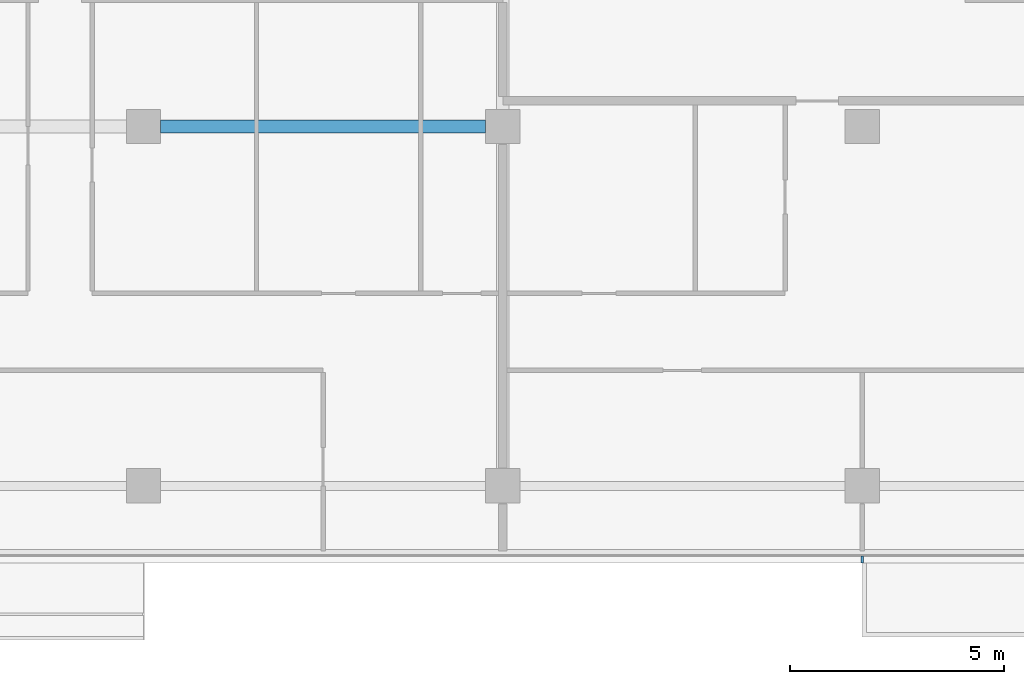
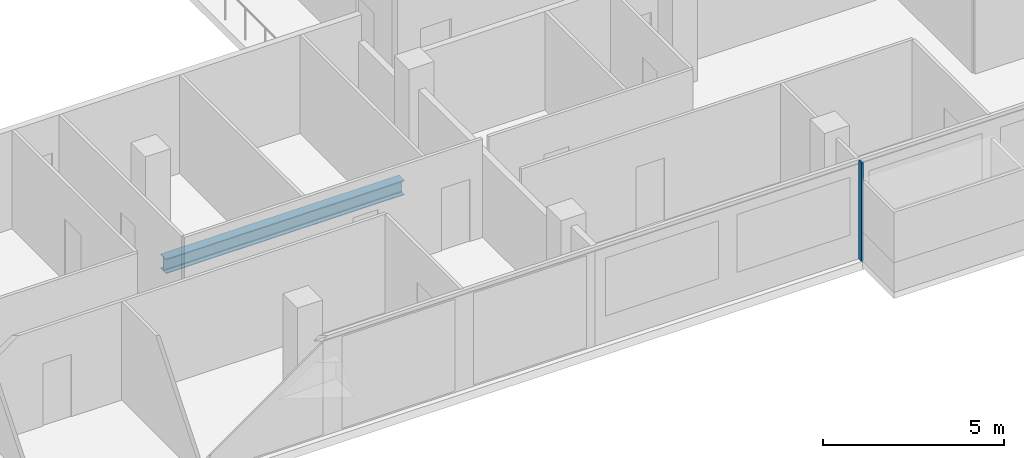
# One storey, part 6 of 26: 1 beam, 1 member, 1 element without a shape of its own.
"""IFC4 building model written with IfcOpenShell, lengths in metres."""

from ifc_helpers import new_model, si_unit, direction, frame, origin, origin_2d, place, context, subcontext, project, spatial, rectangle, i_section, extrude, material, material_profile, profile_set, type_object, element, aggregate, save


model = new_model("IFC4")

# Units and contexts
model_context = context("Model", 3, precision=1e-05, world=origin(), true_north=direction((0.0, 1.0)))
body_context = subcontext(model_context, "Body", "Model", "MODEL_VIEW")
ifc_project = project(units=[si_unit("LENGTHUNIT", "METRE"), si_unit("AREAUNIT", "SQUARE_METRE"), si_unit("VOLUMEUNIT", "CUBIC_METRE"), si_unit("PLANEANGLEUNIT", "RADIAN"), si_unit("MASSUNIT", "GRAM", prefix="KILO")], contexts=[model_context])

# Site, building, storey
site_placement = place(None, origin())
site = spatial("IfcSite", under=ifc_project, at=site_placement, CompositionType="ELEMENT")
building_placement = place(site_placement, origin())
building = spatial("IfcBuilding", under=site, at=building_placement, Name="Saffron Gate Tower", CompositionType="ELEMENT")
storey_placement = place(building_placement, frame((0.0, 0.0, 120.449951171875)))
storey = spatial("IfcBuildingStorey", under=building, at=storey_placement, Name="L28", CompositionType="ELEMENT", Elevation=120.449951171875)

# Beam
ifc_material_1 = material(Name="Structural steel S355", Category="steel")
ifc_material_profile_1 = material_profile(ifc_material_1, i_section(OverallWidth=0.300048828125, OverallDepth=0.489990234375, WebThickness=0.011962890625, FlangeThickness=0.02294921875, FilletRadius=0.027099609375, at=origin_2d()))
ifc_profile_set_1 = profile_set([ifc_material_profile_1], Name="Structural steel S355")
beam_type = type_object("IfcBeamType", Name="B8 HEA 500", PredefinedType="BEAM", material=ifc_profile_set_1)
beam_placement = place(storey_placement, frame((92.199951171875, 40.199951171875, -0.52490234375), z_axis=(1.0, 0.0, 0.0), x_axis=(0.0, 1.0, 0.0)))
element("IfcBeam", 1, at=beam_placement, inside=storey, type_object=beam_type, Name="B8 FLOOR GIRDER", PredefinedType="BEAM", context=body_context, shape_type="SweptSolid", body=[
    extrude(i_section(OverallWidth=0.300048828125, OverallDepth=0.489990234375, WebThickness=0.011962890625, FlangeThickness=0.02294921875, FilletRadius=0.027099609375, at=origin_2d()), origin(), (0.0, 0.0, 1.0), 7.60009765625),
])

# Curtain wall, member
ifc_material_2 = material(Name="Aluminium, bronze anodised", Category="aluminium")
curtain_wall_type = type_object("IfcCurtainWallType", Name="CWS1 curtain wall front facade", PredefinedType="NOTDEFINED", material=ifc_material_2)
curtain_wall_placement = place(storey_placement, origin())
curtain_wall = element("IfcCurtainWall", 2, at=curtain_wall_placement, inside=storey, type_object=curtain_wall_type, Name="CWS1 run 1", PredefinedType="NOTDEFINED")
ifc_material_profile_2 = material_profile(ifc_material_2, rectangle(XDim=0.159912109375, YDim=0.06005859375, at=origin_2d()))
ifc_profile_set_2 = profile_set([ifc_material_profile_2], Name="Aluminium, bronze anodised")
member_type = type_object("IfcMemberType", Name="CWS1 mullion 60x160", PredefinedType="MULLION", material=ifc_profile_set_2)
member_placement = place(storey_placement, frame((108.60009765625, 30.080078125, 0.0), z_axis=(0.0, 0.0, 1.0), x_axis=(0.0, 1.0, 0.0)))
member = element("IfcMember", 3, at=member_placement, type_object=member_type, Name="CWS1 mullion 8", PredefinedType="MULLION", context=body_context, shape_type="SweptSolid", body=[
    extrude(rectangle(XDim=0.159912109375, YDim=0.06005859375, at=origin_2d()), origin(), (0.0, 0.0, 1.0), 3.320068359375),
])
aggregate(curtain_wall, [member])

save(model, "model.ifc")
